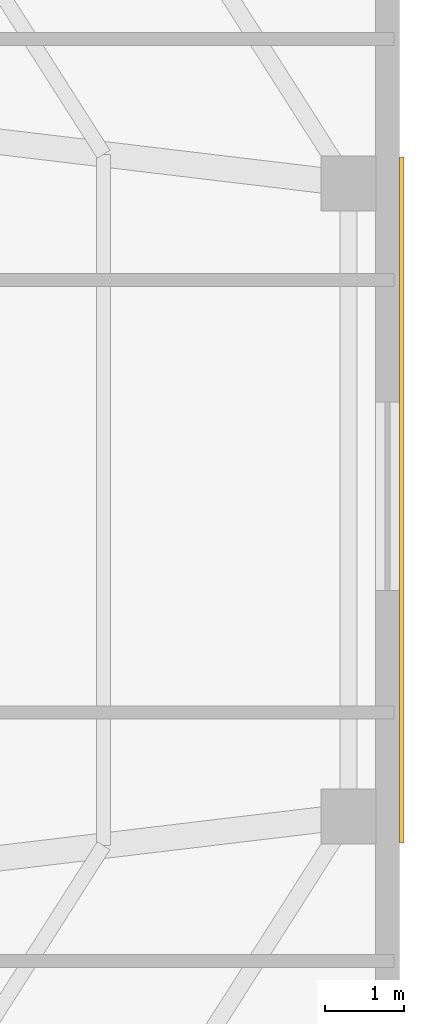
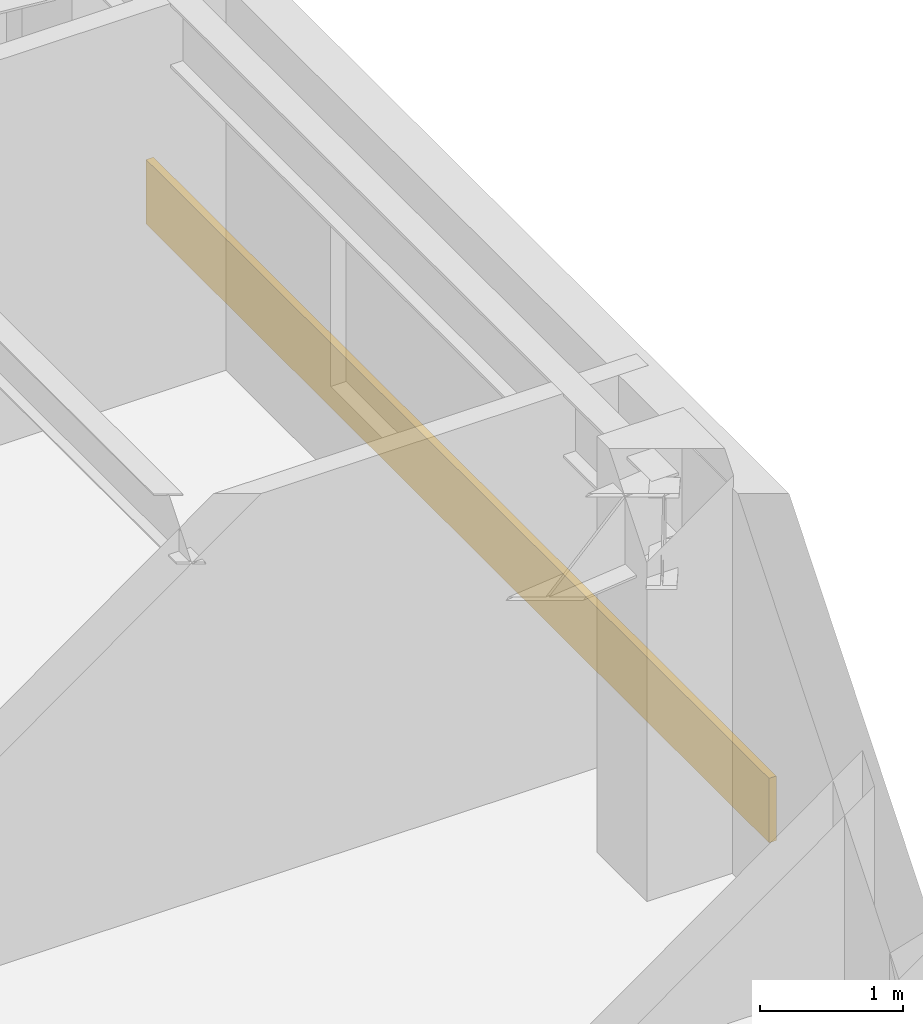
# One storey, part 7 of 7: 1 covering.
"""IFC4 building model written with IfcOpenShell, lengths in metres."""

from ifc_helpers import new_model, si_unit, direction, frame, origin, origin_2d, place, context, subcontext, project, spatial, rectangle, extrude, material, layer, layer_set, type_object, element, save


model = new_model("IFC4")

# Units and contexts
model_context = context("Model", 3, precision=1e-05, world=origin(), true_north=direction((0.0, 1.0)))
body_context = subcontext(model_context, "Body", "Model", "MODEL_VIEW")
ifc_project = project(units=[si_unit("LENGTHUNIT", "METRE"), si_unit("AREAUNIT", "SQUARE_METRE"), si_unit("VOLUMEUNIT", "CUBIC_METRE"), si_unit("PLANEANGLEUNIT", "RADIAN"), si_unit("MASSUNIT", "GRAM", prefix="KILO"), si_unit("THERMODYNAMICTEMPERATUREUNIT", "KELVIN"), si_unit("POWERUNIT", "WATT")], contexts=[model_context])

# Site, building, storey
site_placement = place(None, origin())
site = spatial("IfcSite", under=ifc_project, at=site_placement, CompositionType="ELEMENT")
building_placement = place(site_placement, origin())
building = spatial("IfcBuilding", under=site, at=building_placement, Name="Skarre Station Tower", CompositionType="ELEMENT")
storey_placement = place(building_placement, frame((0.0, 0.0, 263.199951171875)))
storey = spatial("IfcBuildingStorey", under=building, at=storey_placement, Name="L72", CompositionType="ELEMENT", Elevation=263.199951171875)

# Covering
ifc_material = material(Name="Honed Pale Nordic Granite Cladding", Category="masonry")
ifc_layer = layer(ifc_material, 0.06005859375, Name="Honed Pale Nordic Granite Cladding")
ifc_layer_set = layer_set([ifc_layer], Name="Honed Pale Nordic Granite Cladding")
covering_type = type_object("IfcCoveringType", Name="Precast Pier Spandrel Reveal Cladding 60", PredefinedType="CLADDING", material=ifc_layer_set)
covering_placement = place(storey_placement, frame((51.238037109375, 24.0, 0.14501953125), z_axis=(0.0, 0.0, 1.0), x_axis=(0.0, 1.0, 0.0)))
element("IfcCovering", 1, at=covering_placement, inside=storey, type_object=covering_type, Name="L72 Facet 5 Granite Spandrel Cladding", PredefinedType="CLADDING", context=body_context, shape_type="SweptSolid", body=[
    extrude(rectangle(XDim=8.712890625, YDim=0.06005859375, at=origin_2d()), origin(), (0.0, 0.0, 1.0), 0.550048828125),
])

save(model, "model.ifc")
